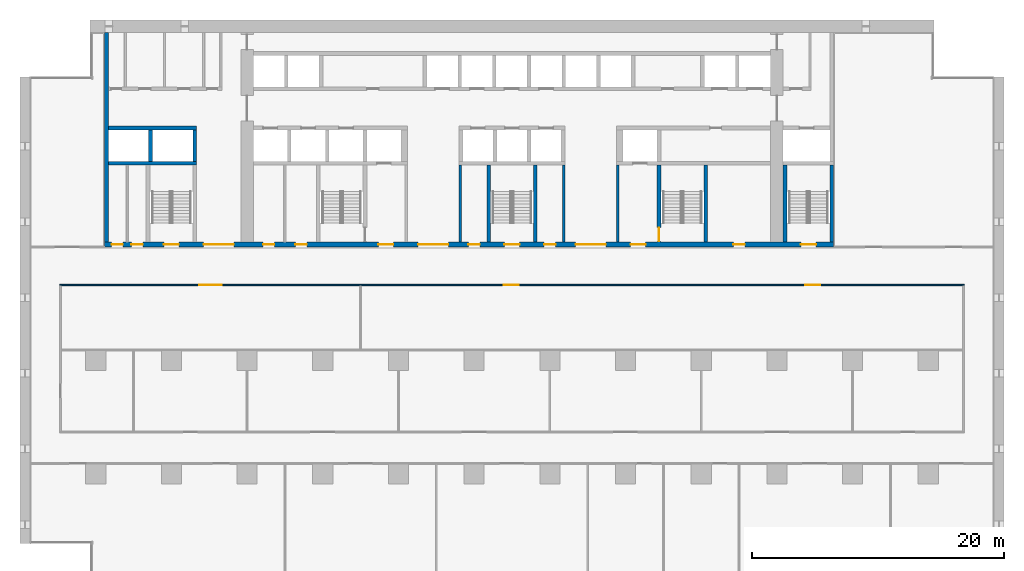
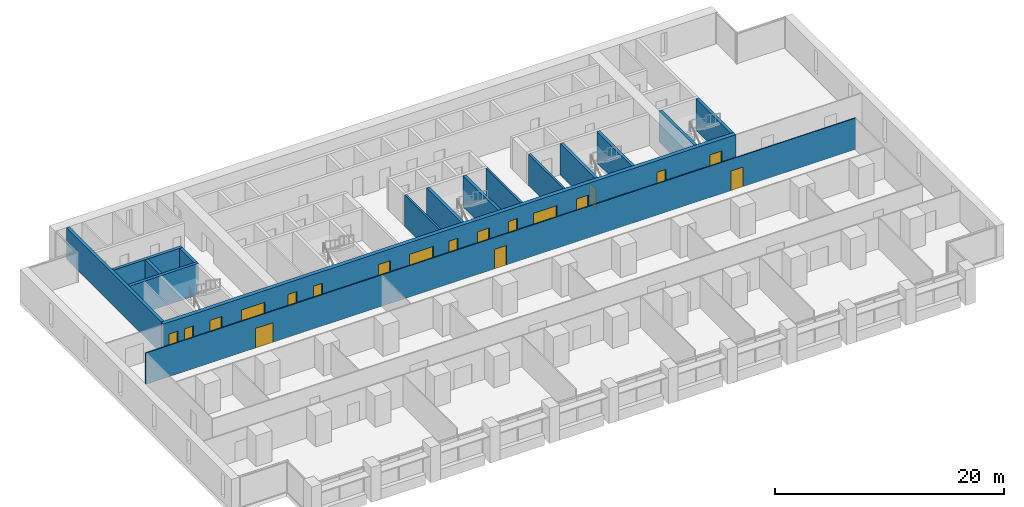
# One storey, part 10 of 18: 19 doors, 16 walls, 19 openings.
"""IFC4 building model written with IfcOpenShell, lengths in metres."""

from ifc_helpers import new_model, si_unit, direction, frame, frame_2d, origin, place, context, subcontext, project, spatial, rectangle, extrude, material, layer, layer_set, type_object, element, fill, save


model = new_model("IFC4")

# Units and contexts
model_context = context("Model", 3, precision=1e-05, world=origin(), true_north=direction((0.0, 1.0)))
body_context = subcontext(model_context, "Body", "Model", "MODEL_VIEW")
ifc_project = project(units=[si_unit("LENGTHUNIT", "METRE"), si_unit("AREAUNIT", "SQUARE_METRE"), si_unit("VOLUMEUNIT", "CUBIC_METRE"), si_unit("PLANEANGLEUNIT", "RADIAN"), si_unit("MASSUNIT", "GRAM", prefix="KILO")], contexts=[model_context])

# Site, building, storey
site_placement = place(None, origin())
site = spatial("IfcSite", under=ifc_project, at=site_placement, CompositionType="ELEMENT")
building_placement = place(site_placement, origin())
building = spatial("IfcBuilding", under=site, at=building_placement, Name="Calvaro Tower", CompositionType="ELEMENT")
storey_placement = place(building_placement, frame((0.0, 0.0, 63.75)))
storey = spatial("IfcBuildingStorey", under=building, at=storey_placement, Name="L15", CompositionType="ELEMENT", Elevation=63.75)

# Walls
ifc_material_1 = material(Name="Blockwork partition", Category="masonry")
ifc_layer_1 = layer(ifc_material_1, 0.199951171875)
ifc_layer_set_1 = layer_set([ifc_layer_1], Name="Blockwork partition")
wall_type_1 = type_object("IfcWallType", Name="Core partition 200 REI 120", PredefinedType="PARTITIONING", material=ifc_layer_set_1)
for number, where, z_axis, x_axis, name in (
    (1, (34.89990234375, 28.39990234375, 0.0), (0.0, 0.0, 1.0), (0.0, 1.0, 0.0), "Core partition"),
    (2, (43.10009765625, 28.39990234375, 0.0), (0.0, 0.0, 1.0), (0.0, 1.0, 0.0), "Core partition"),
    (3, (47.39990234375, 28.39990234375, 0.0), (0.0, 0.0, 1.0), (0.0, 1.0, 0.0), "Core partition"),
):
    element("IfcWall", number, at=place(storey_placement, frame(where, z_axis=z_axis, x_axis=x_axis)), inside=storey, type_object=wall_type_1, Name=name, PredefinedType="PARTITIONING", context=body_context, shape_type="SweptSolid", body=[
        extrude(rectangle(XDim=6.10009765625, YDim=0.199951171875, at=frame_2d((3.050048828125, 0.0))), origin(), (0.0, 0.0, 1.0), 3.35009765625),
    ])
ifc_material_2 = material(Name="Concrete C80/95", Category="concrete")
ifc_layer_2 = layer(ifc_material_2, 0.300048828125)
ifc_layer_set_2 = layer_set([ifc_layer_2], Name="Concrete C80/95")
wall_type_2 = type_object("IfcWallType", Name="Core wall C80/95 300", PredefinedType="SHEAR", material=ifc_layer_set_2)
wall_1_placement = place(storey_placement, frame((6.85009765625, 28.39990234375, 0.0), z_axis=(0.0, 0.0, 1.0), x_axis=(0.0, 1.0, 0.0)))
element("IfcWall", 4, at=wall_1_placement, inside=storey, type_object=wall_type_2, Name="Core wall, boundary", PredefinedType="SHEAR", context=body_context, shape_type="SweptSolid", body=[
    extrude(rectangle(XDim=16.60009765625, YDim=0.300048828125, at=frame_2d((8.300048828125, 0.0))), origin(), (0.0, 0.0, 1.0), 3.35009765625),
])
for number, where, z_axis, x_axis, name in (
    (5, (37.14990234375, 28.39990234375, 0.0), (0.0, 0.0, 1.0), (0.0, 1.0, 0.0), "Core wall, stair enclosure"),
    (6, (40.85009765625, 28.39990234375, 0.0), (0.0, 0.0, 1.0), (0.0, 1.0, 0.0), "Core wall, stair enclosure"),
):
    element("IfcWall", number, at=place(storey_placement, frame(where, z_axis=z_axis, x_axis=x_axis)), inside=storey, type_object=wall_type_2, Name=name, PredefinedType="SHEAR", context=body_context, shape_type="SweptSolid", body=[
        extrude(rectangle(XDim=6.10009765625, YDim=0.300048828125, at=frame_2d((3.050048828125, 0.0))), origin(), (0.0, 0.0, 1.0), 3.35009765625),
    ])

# Wall, opening, door
wall_2_placement = place(storey_placement, frame((50.64990234375, 34.5, 0.0), z_axis=(0.0, 0.0, 1.0), x_axis=(0.0, -1.0, 0.0)))
wall_2 = element("IfcWall", 7, at=wall_2_placement, inside=storey, type_object=wall_type_2, Name="Core wall, stair enclosure", PredefinedType="SHEAR", context=body_context, shape_type="SweptSolid", body=[
    extrude(rectangle(XDim=6.10009765625, YDim=0.300048828125, at=frame_2d((3.050048828125, 0.0))), origin(), (0.0, 0.0, 1.0), 3.35009765625),
])
opening_1_placement = place(wall_2_placement, frame((4.949951171875, 0.0, 0.0)))
opening_1 = element("IfcOpeningElement", 8, at=opening_1_placement, cuts=wall_2, Name="Opening FD11D", PredefinedType="OPENING", context=body_context, shape_type="SweptSolid", body=[
    extrude(rectangle(XDim=1.10009765625, YDim=2.10009765625, at=frame_2d((0.550048828125, 1.050048828125))), frame((0.0, 0.159912109375, 0.0), z_axis=(0.0, -1.0, 0.0), x_axis=(1.0, 0.0, 0.0)), (0.0, 0.0, 1.0), 0.320068359375),
])
ifc_material_3 = material(Name="Steel door set", Category="steel")
door_type_1 = type_object("IfcDoorType", Name="Fire door 1100 FD30S", OperationType="SINGLE_SWING_LEFT", PredefinedType="DOOR", material=ifc_material_3)
door_1_placement = place(opening_1_placement, origin())
door_1 = element("IfcDoor", 9, at=door_1_placement, inside=storey, type_object=door_type_1, Name="Fire door", OperationType="SINGLE_SWING_RIGHT", OverallHeight=2.10009765625, OverallWidth=1.10009765625, PredefinedType="DOOR", context=body_context, shape_type="SweptSolid", body=[
    extrude(rectangle(XDim=1.10009765625, YDim=2.10009765625, at=frame_2d((0.550048828125, 1.050048828125))), frame((0.0, 0.02490234375, 0.0), z_axis=(0.0, -1.0, 0.0), x_axis=(1.0, 0.0, 0.0)), (0.0, 0.0, 1.0), 0.050048828125),
])
fill(opening_1, door_1)

# Walls
for number, where, z_axis, x_axis, name in (
    (10, (54.35009765625, 28.39990234375, 0.0), (0.0, 0.0, 1.0), (0.0, 1.0, 0.0), "Core wall, stair enclosure"),
    (11, (60.64990234375, 28.39990234375, 0.0), (0.0, 0.0, 1.0), (0.0, 1.0, 0.0), "Core wall, stair enclosure"),
    (12, (64.35009765625, 28.39990234375, 0.0), (0.0, 0.0, 1.0), (0.0, 1.0, 0.0), "Core wall, stair enclosure"),
):
    element("IfcWall", number, at=place(storey_placement, frame(where, z_axis=z_axis, x_axis=x_axis)), inside=storey, type_object=wall_type_2, Name=name, PredefinedType="SHEAR", context=body_context, shape_type="SweptSolid", body=[
        extrude(rectangle(XDim=6.10009765625, YDim=0.300048828125, at=frame_2d((3.050048828125, 0.0))), origin(), (0.0, 0.0, 1.0), 3.35009765625),
    ])
for number, where, z_axis, x_axis, name in (
    (13, (7.0, 34.64990234375, 0.0), (0.0, 0.0, 1.0), (1.0, 0.0, 0.0), "Core wall, lift shaft"),
    (14, (7.0, 37.449951171875, 0.0), (0.0, 0.0, 1.0), (1.0, 0.0, 0.0), "Core wall, lift shaft"),
):
    element("IfcWall", number, at=place(storey_placement, frame(where, z_axis=z_axis, x_axis=x_axis)), inside=storey, type_object=wall_type_2, Name=name, PredefinedType="SHEAR", context=body_context, shape_type="SweptSolid", body=[
        extrude(rectangle(XDim=7.0, YDim=0.300048828125, at=frame_2d((3.5, 0.0))), origin(), (0.0, 0.0, 1.0), 3.35009765625),
    ])
for number, where, z_axis, x_axis, name in (
    (15, (13.85009765625, 34.800048828125, 0.0), (0.0, 0.0, 1.0), (0.0, 1.0, 0.0), "Core wall, lift shaft"),
    (16, (10.35009765625, 34.800048828125, 0.0), (0.0, 0.0, 1.0), (0.0, 1.0, 0.0), "Core wall, lift shaft"),
):
    element("IfcWall", number, at=place(storey_placement, frame(where, z_axis=z_axis, x_axis=x_axis)), inside=storey, type_object=wall_type_2, Name=name, PredefinedType="SHEAR", context=body_context, shape_type="SweptSolid", body=[
        extrude(rectangle(XDim=2.5, YDim=0.300048828125, at=frame_2d((1.25, 0.0))), origin(), (0.0, 0.0, 1.0), 3.35009765625),
    ])

# Wall, openings, doors
ifc_material_4 = material(Name="Concrete C80/95", Category="concrete")
ifc_layer_3 = layer(ifc_material_4, 0.39990234375)
ifc_layer_set_3 = layer_set([ifc_layer_3], Name="Concrete C80/95")
wall_type_3 = type_object("IfcWallType", Name="Core wall C80/95 400", PredefinedType="SHEAR", material=ifc_layer_set_3)
wall_3_placement = place(storey_placement, frame((6.699951171875, 28.199951171875, 0.0), z_axis=(0.0, 0.0, 1.0), x_axis=(1.0, 0.0, 0.0)))
wall_3 = element("IfcWall", 17, at=wall_3_placement, inside=storey, type_object=wall_type_3, Name="Core wall, front", PredefinedType="SHEAR", context=body_context, shape_type="SweptSolid", body=[
    extrude(rectangle(XDim=57.800048828125, YDim=0.39990234375, at=frame_2d((28.89990234375, 0.0))), origin(), (0.0, 0.0, 1.0), 3.35009765625),
])
opening_2_placement = place(wall_3_placement, frame((12.5625, 0.0, 0.0)))
opening_2 = element("IfcOpeningElement", 18, at=opening_2_placement, cuts=wall_3, Name="Opening RD9E", PredefinedType="OPENING", context=body_context, shape_type="SweptSolid", body=[
    extrude(rectangle(XDim=0.89990234375, YDim=2.10009765625, at=frame_2d((0.449951171875, 1.050048828125))), frame((0.0, 0.2099609375, 0.0), z_axis=(0.0, -1.0, 0.0), x_axis=(1.0, 0.0, 0.0)), (0.0, 0.0, 1.0), 0.419921875),
])
opening_3_placement = place(wall_3_placement, frame((15.137451171875, 0.0, 0.0)))
opening_3 = element("IfcOpeningElement", 19, at=opening_3_placement, cuts=wall_3, Name="Opening RD9C", PredefinedType="OPENING", context=body_context, shape_type="SweptSolid", body=[
    extrude(rectangle(XDim=0.89990234375, YDim=2.10009765625, at=frame_2d((0.449951171875, 1.050048828125))), frame((0.0, 0.2099609375, 0.0), z_axis=(0.0, -1.0, 0.0), x_axis=(1.0, 0.0, 0.0)), (0.0, 0.0, 1.0), 0.419921875),
])
opening_4_placement = place(wall_3_placement, frame((49.85009765625, 0.0, 0.0)))
opening_4 = element("IfcOpeningElement", 20, at=opening_4_placement, cuts=wall_3, Name="Opening RD9E", PredefinedType="OPENING", context=body_context, shape_type="SweptSolid", body=[
    extrude(rectangle(XDim=0.89990234375, YDim=2.10009765625, at=frame_2d((0.449951171875, 1.050048828125))), frame((0.0, 0.2099609375, 0.0), z_axis=(0.0, -1.0, 0.0), x_axis=(1.0, 0.0, 0.0)), (0.0, 0.0, 1.0), 0.419921875),
])
opening_5_placement = place(wall_3_placement, frame((0.5625, 0.0, 0.0)))
opening_5 = element("IfcOpeningElement", 21, at=opening_5_placement, cuts=wall_3, Name="Opening RD9C", PredefinedType="OPENING", context=body_context, shape_type="SweptSolid", body=[
    extrude(rectangle(XDim=0.89990234375, YDim=2.10009765625, at=frame_2d((0.449951171875, 1.050048828125))), frame((0.0, 0.2099609375, 0.0), z_axis=(0.0, -1.0, 0.0), x_axis=(1.0, 0.0, 0.0)), (0.0, 0.0, 1.0), 0.419921875),
])
opening_6_placement = place(wall_3_placement, frame((2.137451171875, 0.0, 0.0)))
opening_6 = element("IfcOpeningElement", 22, at=opening_6_placement, cuts=wall_3, Name="Opening RD9E", PredefinedType="OPENING", context=body_context, shape_type="SweptSolid", body=[
    extrude(rectangle(XDim=0.89990234375, YDim=2.10009765625, at=frame_2d((0.449951171875, 1.050048828125))), frame((0.0, 0.2099609375, 0.0), z_axis=(0.0, -1.0, 0.0), x_axis=(1.0, 0.0, 0.0)), (0.0, 0.0, 1.0), 0.419921875),
])
opening_7_placement = place(wall_3_placement, frame((4.699951171875, 0.0, 0.0)))
opening_7 = element("IfcOpeningElement", 23, at=opening_7_placement, cuts=wall_3, Name="Opening SD12D", PredefinedType="OPENING", context=body_context, shape_type="SweptSolid", body=[
    extrude(rectangle(XDim=1.199951171875, YDim=2.10009765625, at=frame_2d((0.60009765625, 1.050048828125))), frame((0.0, 0.2099609375, 0.0), z_axis=(0.0, -1.0, 0.0), x_axis=(1.0, 0.0, 0.0)), (0.0, 0.0, 1.0), 0.419921875),
])
opening_8_placement = place(wall_3_placement, frame((31.699951171875, 0.0, 0.0)))
opening_8 = element("IfcOpeningElement", 24, at=opening_8_placement, cuts=wall_3, Name="Opening SD12D", PredefinedType="OPENING", context=body_context, shape_type="SweptSolid", body=[
    extrude(rectangle(XDim=1.199951171875, YDim=2.10009765625, at=frame_2d((0.60009765625, 1.050048828125))), frame((0.0, 0.2099609375, 0.0), z_axis=(0.0, -1.0, 0.0), x_axis=(1.0, 0.0, 0.0)), (0.0, 0.0, 1.0), 0.419921875),
])
opening_9_placement = place(wall_3_placement, frame((55.199951171875, 0.0, 0.0)))
opening_9 = element("IfcOpeningElement", 25, at=opening_9_placement, cuts=wall_3, Name="Opening SD12D", PredefinedType="OPENING", context=body_context, shape_type="SweptSolid", body=[
    extrude(rectangle(XDim=1.199951171875, YDim=2.10009765625, at=frame_2d((0.60009765625, 1.050048828125))), frame((0.0, 0.2099609375, 0.0), z_axis=(0.0, -1.0, 0.0), x_axis=(1.0, 0.0, 0.0)), (0.0, 0.0, 1.0), 0.419921875),
])
opening_10_placement = place(wall_3_placement, frame((21.699951171875, 0.0, 0.0)))
opening_10 = element("IfcOpeningElement", 26, at=opening_10_placement, cuts=wall_3, Name="Opening FD12F", PredefinedType="OPENING", context=body_context, shape_type="SweptSolid", body=[
    extrude(rectangle(XDim=1.199951171875, YDim=2.10009765625, at=frame_2d((0.60009765625, 1.050048828125))), frame((0.0, 0.2099609375, 0.0), z_axis=(0.0, -1.0, 0.0), x_axis=(1.0, 0.0, 0.0)), (0.0, 0.0, 1.0), 0.419921875),
])
opening_11_placement = place(wall_3_placement, frame((41.699951171875, 0.0, 0.0)))
opening_11 = element("IfcOpeningElement", 27, at=opening_11_placement, cuts=wall_3, Name="Opening FD12F", PredefinedType="OPENING", context=body_context, shape_type="SweptSolid", body=[
    extrude(rectangle(XDim=1.199951171875, YDim=2.10009765625, at=frame_2d((0.60009765625, 1.050048828125))), frame((0.0, 0.2099609375, 0.0), z_axis=(0.0, -1.0, 0.0), x_axis=(1.0, 0.0, 0.0)), (0.0, 0.0, 1.0), 0.419921875),
])
opening_12_placement = place(wall_3_placement, frame((24.85009765625, 0.0, 0.0)))
opening_12 = element("IfcOpeningElement", 28, at=opening_12_placement, cuts=wall_3, Name="Opening DD24D", PredefinedType="OPENING", context=body_context, shape_type="SweptSolid", body=[
    extrude(rectangle(XDim=2.39990234375, YDim=2.10009765625, at=frame_2d((1.199951171875, 1.050048828125))), frame((0.0, 0.2099609375, 0.0), z_axis=(0.0, -1.0, 0.0), x_axis=(1.0, 0.0, 0.0)), (0.0, 0.0, 1.0), 0.419921875),
])
opening_13_placement = place(wall_3_placement, frame((37.35009765625, 0.0, 0.0)))
opening_13 = element("IfcOpeningElement", 29, at=opening_13_placement, cuts=wall_3, Name="Opening DD24D", PredefinedType="OPENING", context=body_context, shape_type="SweptSolid", body=[
    extrude(rectangle(XDim=2.39990234375, YDim=2.10009765625, at=frame_2d((1.199951171875, 1.050048828125))), frame((0.0, 0.2099609375, 0.0), z_axis=(0.0, -1.0, 0.0), x_axis=(1.0, 0.0, 0.0)), (0.0, 0.0, 1.0), 0.419921875),
])
opening_14_placement = place(wall_3_placement, frame((7.85009765625, 0.0, 0.0)))
opening_14 = element("IfcOpeningElement", 30, at=opening_14_placement, cuts=wall_3, Name="Opening DD24D", PredefinedType="OPENING", context=body_context, shape_type="SweptSolid", body=[
    extrude(rectangle(XDim=2.39990234375, YDim=2.10009765625, at=frame_2d((1.199951171875, 1.050048828125))), frame((0.0, 0.2099609375, 0.0), z_axis=(0.0, -1.0, 0.0), x_axis=(1.0, 0.0, 0.0)), (0.0, 0.0, 1.0), 0.419921875),
])
opening_15_placement = place(wall_3_placement, frame((28.85009765625, 0.0, 0.0)))
opening_15 = element("IfcOpeningElement", 31, at=opening_15_placement, cuts=wall_3, Name="Opening RD9E", PredefinedType="OPENING", context=body_context, shape_type="SweptSolid", body=[
    extrude(rectangle(XDim=0.89990234375, YDim=2.10009765625, at=frame_2d((0.449951171875, 1.050048828125))), frame((0.0, 0.2099609375, 0.0), z_axis=(0.0, -1.0, 0.0), x_axis=(1.0, 0.0, 0.0)), (0.0, 0.0, 1.0), 0.419921875),
])
opening_16_placement = place(wall_3_placement, frame((34.85009765625, 0.0, 0.0)))
opening_16 = element("IfcOpeningElement", 32, at=opening_16_placement, cuts=wall_3, Name="Opening RD9E", PredefinedType="OPENING", context=body_context, shape_type="SweptSolid", body=[
    extrude(rectangle(XDim=0.89990234375, YDim=2.10009765625, at=frame_2d((0.449951171875, 1.050048828125))), frame((0.0, 0.2099609375, 0.0), z_axis=(0.0, -1.0, 0.0), x_axis=(1.0, 0.0, 0.0)), (0.0, 0.0, 1.0), 0.419921875),
])
ifc_material_5 = material(Name="Steel door set", Category="steel")
door_type_2 = type_object("IfcDoorType", Name="Fire door 1200 FD60S", OperationType="SINGLE_SWING_LEFT", PredefinedType="DOOR", material=ifc_material_5)
door_2_placement = place(opening_10_placement, origin())
door_2 = element("IfcDoor", 33, at=door_2_placement, inside=storey, type_object=door_type_2, Name="Fire door", OperationType="SINGLE_SWING_LEFT", OverallHeight=2.10009765625, OverallWidth=1.199951171875, PredefinedType="DOOR", context=body_context, shape_type="SweptSolid", body=[
    extrude(rectangle(XDim=1.199951171875, YDim=2.10009765625, at=frame_2d((0.60009765625, 1.050048828125))), frame((0.0, 0.02490234375, 0.0), z_axis=(0.0, -1.0, 0.0), x_axis=(1.0, 0.0, 0.0)), (0.0, 0.0, 1.0), 0.050048828125),
])
fill(opening_10, door_2)
door_3_placement = place(opening_11_placement, origin())
door_3 = element("IfcDoor", 34, at=door_3_placement, inside=storey, type_object=door_type_2, Name="Fire door", OperationType="SINGLE_SWING_LEFT", OverallHeight=2.10009765625, OverallWidth=1.199951171875, PredefinedType="DOOR", context=body_context, shape_type="SweptSolid", body=[
    extrude(rectangle(XDim=1.199951171875, YDim=2.10009765625, at=frame_2d((0.60009765625, 1.050048828125))), frame((0.0, 0.02490234375, 0.0), z_axis=(0.0, -1.0, 0.0), x_axis=(1.0, 0.0, 0.0)), (0.0, 0.0, 1.0), 0.050048828125),
])
fill(opening_11, door_3)
ifc_material_6 = material(Name="Steel door set", Category="steel")
door_type_3 = type_object("IfcDoorType", Name="Lobby double door 2400 FD30S", OperationType="DOUBLE_DOOR_SINGLE_SWING", PredefinedType="DOOR", material=ifc_material_6)
door_4_placement = place(opening_12_placement, origin())
door_4 = element("IfcDoor", 35, at=door_4_placement, inside=storey, type_object=door_type_3, Name="Lobby double door", OperationType="DOUBLE_DOOR_SINGLE_SWING", OverallHeight=2.10009765625, OverallWidth=2.39990234375, PredefinedType="DOOR", context=body_context, shape_type="SweptSolid", body=[
    extrude(rectangle(XDim=2.39990234375, YDim=2.10009765625, at=frame_2d((1.199951171875, 1.050048828125))), frame((0.0, 0.02490234375, 0.0), z_axis=(0.0, -1.0, 0.0), x_axis=(1.0, 0.0, 0.0)), (0.0, 0.0, 1.0), 0.050048828125),
])
fill(opening_12, door_4)
door_5_placement = place(opening_13_placement, origin())
door_5 = element("IfcDoor", 36, at=door_5_placement, inside=storey, type_object=door_type_3, Name="Lobby double door", OperationType="DOUBLE_DOOR_SINGLE_SWING", OverallHeight=2.10009765625, OverallWidth=2.39990234375, PredefinedType="DOOR", context=body_context, shape_type="SweptSolid", body=[
    extrude(rectangle(XDim=2.39990234375, YDim=2.10009765625, at=frame_2d((1.199951171875, 1.050048828125))), frame((0.0, 0.02490234375, 0.0), z_axis=(0.0, -1.0, 0.0), x_axis=(1.0, 0.0, 0.0)), (0.0, 0.0, 1.0), 0.050048828125),
])
fill(opening_13, door_5)
door_6_placement = place(opening_14_placement, origin())
door_6 = element("IfcDoor", 37, at=door_6_placement, inside=storey, type_object=door_type_3, Name="Lobby double door", OperationType="DOUBLE_DOOR_SINGLE_SWING", OverallHeight=2.10009765625, OverallWidth=2.39990234375, PredefinedType="DOOR", context=body_context, shape_type="SweptSolid", body=[
    extrude(rectangle(XDim=2.39990234375, YDim=2.10009765625, at=frame_2d((1.199951171875, 1.050048828125))), frame((0.0, 0.02490234375, 0.0), z_axis=(0.0, -1.0, 0.0), x_axis=(1.0, 0.0, 0.0)), (0.0, 0.0, 1.0), 0.050048828125),
])
fill(opening_14, door_6)
ifc_material_7 = material(Name="Steel door set", Category="steel")
door_type_4 = type_object("IfcDoorType", Name="Room door 900 FD30", OperationType="SINGLE_SWING_LEFT", PredefinedType="DOOR", material=ifc_material_7)
door_7_placement = place(opening_3_placement, origin())
door_7 = element("IfcDoor", 38, at=door_7_placement, inside=storey, type_object=door_type_4, Name="Room door", OperationType="SINGLE_SWING_RIGHT", OverallHeight=2.10009765625, OverallWidth=0.89990234375, PredefinedType="DOOR", context=body_context, shape_type="SweptSolid", body=[
    extrude(rectangle(XDim=0.89990234375, YDim=2.10009765625, at=frame_2d((0.449951171875, 1.050048828125))), frame((0.0, 0.02490234375, 0.0), z_axis=(0.0, -1.0, 0.0), x_axis=(1.0, 0.0, 0.0)), (0.0, 0.0, 1.0), 0.050048828125),
])
fill(opening_3, door_7)
door_8_placement = place(opening_5_placement, origin())
door_8 = element("IfcDoor", 39, at=door_8_placement, inside=storey, type_object=door_type_4, Name="Room door", OperationType="SINGLE_SWING_LEFT", OverallHeight=2.10009765625, OverallWidth=0.89990234375, PredefinedType="DOOR", context=body_context, shape_type="SweptSolid", body=[
    extrude(rectangle(XDim=0.89990234375, YDim=2.10009765625, at=frame_2d((0.449951171875, 1.050048828125))), frame((0.0, 0.02490234375, 0.0), z_axis=(0.0, -1.0, 0.0), x_axis=(1.0, 0.0, 0.0)), (0.0, 0.0, 1.0), 0.050048828125),
])
fill(opening_5, door_8)
ifc_material_8 = material(Name="Steel door set", Category="steel")
door_type_5 = type_object("IfcDoorType", Name="Room door 900 FD60", OperationType="SINGLE_SWING_LEFT", PredefinedType="DOOR", material=ifc_material_8)
door_9_placement = place(opening_2_placement, origin())
door_9 = element("IfcDoor", 40, at=door_9_placement, inside=storey, type_object=door_type_5, Name="Room door", OperationType="SINGLE_SWING_LEFT", OverallHeight=2.10009765625, OverallWidth=0.89990234375, PredefinedType="DOOR", context=body_context, shape_type="SweptSolid", body=[
    extrude(rectangle(XDim=0.89990234375, YDim=2.10009765625, at=frame_2d((0.449951171875, 1.050048828125))), frame((0.0, 0.02490234375, 0.0), z_axis=(0.0, -1.0, 0.0), x_axis=(1.0, 0.0, 0.0)), (0.0, 0.0, 1.0), 0.050048828125),
])
fill(opening_2, door_9)
door_10_placement = place(opening_4_placement, origin())
door_10 = element("IfcDoor", 41, at=door_10_placement, inside=storey, type_object=door_type_5, Name="Room door", OperationType="SINGLE_SWING_LEFT", OverallHeight=2.10009765625, OverallWidth=0.89990234375, PredefinedType="DOOR", context=body_context, shape_type="SweptSolid", body=[
    extrude(rectangle(XDim=0.89990234375, YDim=2.10009765625, at=frame_2d((0.449951171875, 1.050048828125))), frame((0.0, 0.02490234375, 0.0), z_axis=(0.0, -1.0, 0.0), x_axis=(1.0, 0.0, 0.0)), (0.0, 0.0, 1.0), 0.050048828125),
])
fill(opening_4, door_10)
door_11_placement = place(opening_6_placement, origin())
door_11 = element("IfcDoor", 42, at=door_11_placement, inside=storey, type_object=door_type_5, Name="Room door", OperationType="SINGLE_SWING_LEFT", OverallHeight=2.10009765625, OverallWidth=0.89990234375, PredefinedType="DOOR", context=body_context, shape_type="SweptSolid", body=[
    extrude(rectangle(XDim=0.89990234375, YDim=2.10009765625, at=frame_2d((0.449951171875, 1.050048828125))), frame((0.0, 0.02490234375, 0.0), z_axis=(0.0, -1.0, 0.0), x_axis=(1.0, 0.0, 0.0)), (0.0, 0.0, 1.0), 0.050048828125),
])
fill(opening_6, door_11)
door_12_placement = place(opening_15_placement, origin())
door_12 = element("IfcDoor", 43, at=door_12_placement, inside=storey, type_object=door_type_5, Name="Room door", OperationType="SINGLE_SWING_LEFT", OverallHeight=2.10009765625, OverallWidth=0.89990234375, PredefinedType="DOOR", context=body_context, shape_type="SweptSolid", body=[
    extrude(rectangle(XDim=0.89990234375, YDim=2.10009765625, at=frame_2d((0.449951171875, 1.050048828125))), frame((0.0, 0.02490234375, 0.0), z_axis=(0.0, -1.0, 0.0), x_axis=(1.0, 0.0, 0.0)), (0.0, 0.0, 1.0), 0.050048828125),
])
fill(opening_15, door_12)
door_13_placement = place(opening_16_placement, origin())
door_13 = element("IfcDoor", 44, at=door_13_placement, inside=storey, type_object=door_type_5, Name="Room door", OperationType="SINGLE_SWING_LEFT", OverallHeight=2.10009765625, OverallWidth=0.89990234375, PredefinedType="DOOR", context=body_context, shape_type="SweptSolid", body=[
    extrude(rectangle(XDim=0.89990234375, YDim=2.10009765625, at=frame_2d((0.449951171875, 1.050048828125))), frame((0.0, 0.02490234375, 0.0), z_axis=(0.0, -1.0, 0.0), x_axis=(1.0, 0.0, 0.0)), (0.0, 0.0, 1.0), 0.050048828125),
])
fill(opening_16, door_13)
ifc_material_9 = material(Name="Steel door set", Category="steel")
door_type_6 = type_object("IfcDoorType", Name="Stair door 1200 FD30S", OperationType="SINGLE_SWING_LEFT", PredefinedType="DOOR", material=ifc_material_9)
door_14_placement = place(opening_7_placement, origin())
door_14 = element("IfcDoor", 45, at=door_14_placement, inside=storey, type_object=door_type_6, Name="Stair door", OperationType="SINGLE_SWING_LEFT", OverallHeight=2.10009765625, OverallWidth=1.199951171875, PredefinedType="DOOR", context=body_context, shape_type="SweptSolid", body=[
    extrude(rectangle(XDim=1.199951171875, YDim=2.10009765625, at=frame_2d((0.60009765625, 1.050048828125))), frame((0.0, 0.02490234375, 0.0), z_axis=(0.0, -1.0, 0.0), x_axis=(1.0, 0.0, 0.0)), (0.0, 0.0, 1.0), 0.050048828125),
])
fill(opening_7, door_14)
door_15_placement = place(opening_8_placement, origin())
door_15 = element("IfcDoor", 46, at=door_15_placement, inside=storey, type_object=door_type_6, Name="Stair door", OperationType="SINGLE_SWING_LEFT", OverallHeight=2.10009765625, OverallWidth=1.199951171875, PredefinedType="DOOR", context=body_context, shape_type="SweptSolid", body=[
    extrude(rectangle(XDim=1.199951171875, YDim=2.10009765625, at=frame_2d((0.60009765625, 1.050048828125))), frame((0.0, 0.02490234375, 0.0), z_axis=(0.0, -1.0, 0.0), x_axis=(1.0, 0.0, 0.0)), (0.0, 0.0, 1.0), 0.050048828125),
])
fill(opening_8, door_15)
door_16_placement = place(opening_9_placement, origin())
door_16 = element("IfcDoor", 47, at=door_16_placement, inside=storey, type_object=door_type_6, Name="Stair door", OperationType="SINGLE_SWING_LEFT", OverallHeight=2.10009765625, OverallWidth=1.199951171875, PredefinedType="DOOR", context=body_context, shape_type="SweptSolid", body=[
    extrude(rectangle(XDim=1.199951171875, YDim=2.10009765625, at=frame_2d((0.60009765625, 1.050048828125))), frame((0.0, 0.02490234375, 0.0), z_axis=(0.0, -1.0, 0.0), x_axis=(1.0, 0.0, 0.0)), (0.0, 0.0, 1.0), 0.050048828125),
])
fill(opening_9, door_16)

ifc_material_10 = material(Name="Plasterboard on steel studs", Category="steel")
ifc_layer_4 = layer(ifc_material_10, 0.10009765625)
ifc_layer_set_4 = layer_set([ifc_layer_4], Name="Plasterboard on steel studs")
wall_type_4 = type_object("IfcWallType", Name="Partition 100", PredefinedType="PARTITIONING", material=ifc_layer_set_4)
wall_4_placement = place(storey_placement, frame((3.14990234375, 25.0, 0.0), z_axis=(0.0, 0.0, 1.0), x_axis=(1.0, 0.0, 0.0)))
wall_4 = element("IfcWall", 48, at=wall_4_placement, inside=storey, type_object=wall_type_4, Name="Partition T12.W004", PredefinedType="PARTITIONING", context=body_context, shape_type="SweptSolid", body=[
    extrude(rectangle(XDim=71.7001953125, YDim=0.10009765625, at=frame_2d((35.85009765625, 0.0))), origin(), (0.0, 0.0, 1.0), 3.35009765625),
])
opening_17_placement = place(wall_4_placement, frame((11.050048828125, 0.0, 0.0)))
opening_17 = element("IfcOpeningElement", 49, at=opening_17_placement, cuts=wall_4, Name="Opening T12.016", PredefinedType="OPENING", context=body_context, shape_type="SweptSolid", body=[
    extrude(rectangle(XDim=1.800048828125, YDim=2.10009765625, at=frame_2d((0.89990234375, 1.050048828125))), frame((0.0, 0.06005859375, 0.0), z_axis=(0.0, -1.0, 0.0), x_axis=(1.0, 0.0, 0.0)), (0.0, 0.0, 1.0), 0.1201171875),
])
opening_18_placement = place(wall_4_placement, frame((35.199951171875, 0.0, 0.0)))
opening_18 = element("IfcOpeningElement", 50, at=opening_18_placement, cuts=wall_4, Name="Opening T12.017", PredefinedType="OPENING", context=body_context, shape_type="SweptSolid", body=[
    extrude(rectangle(XDim=1.199951171875, YDim=2.10009765625, at=frame_2d((0.60009765625, 1.050048828125))), frame((0.0, 0.06005859375, 0.0), z_axis=(0.0, -1.0, 0.0), x_axis=(1.0, 0.0, 0.0)), (0.0, 0.0, 1.0), 0.1201171875),
])
opening_19_placement = place(wall_4_placement, frame((59.10009765625, 0.0, 0.0)))
opening_19 = element("IfcOpeningElement", 51, at=opening_19_placement, cuts=wall_4, Name="Opening T12.018", PredefinedType="OPENING", context=body_context, shape_type="SweptSolid", body=[
    extrude(rectangle(XDim=1.199951171875, YDim=2.10009765625, at=frame_2d((0.60009765625, 1.050048828125))), frame((0.0, 0.06005859375, 0.0), z_axis=(0.0, -1.0, 0.0), x_axis=(1.0, 0.0, 0.0)), (0.0, 0.0, 1.0), 0.1201171875),
])
ifc_material_11 = material(Name="Timber", Category="wood")
door_type_7 = type_object("IfcDoorType", Name="Internal double door 1800 x 2100", OperationType="DOUBLE_DOOR_SINGLE_SWING", PredefinedType="DOOR", material=ifc_material_11)
door_17_placement = place(opening_17_placement, origin())
door_17 = element("IfcDoor", 52, at=door_17_placement, inside=storey, type_object=door_type_7, Name="Door T12.016", OperationType="DOUBLE_DOOR_SINGLE_SWING", OverallHeight=2.10009765625, OverallWidth=1.800048828125, PredefinedType="DOOR", context=body_context, shape_type="SweptSolid", body=[
    extrude(rectangle(XDim=1.800048828125, YDim=2.10009765625, at=frame_2d((0.89990234375, 1.050048828125))), frame((0.0, 0.02490234375, 0.0), z_axis=(0.0, -1.0, 0.0), x_axis=(1.0, 0.0, 0.0)), (0.0, 0.0, 1.0), 0.050048828125),
])
fill(opening_17, door_17)
ifc_material_12 = material(Name="Timber", Category="wood")
door_type_8 = type_object("IfcDoorType", Name="Internal single door 1200 x 2100", OperationType="SINGLE_SWING_LEFT", PredefinedType="DOOR", material=ifc_material_12)
door_18_placement = place(opening_18_placement, origin())
door_18 = element("IfcDoor", 53, at=door_18_placement, inside=storey, type_object=door_type_8, Name="Door T12.017", OperationType="SINGLE_SWING_LEFT", OverallHeight=2.10009765625, OverallWidth=1.199951171875, PredefinedType="DOOR", context=body_context, shape_type="SweptSolid", body=[
    extrude(rectangle(XDim=1.199951171875, YDim=2.10009765625, at=frame_2d((0.60009765625, 1.050048828125))), frame((0.0, 0.02490234375, 0.0), z_axis=(0.0, -1.0, 0.0), x_axis=(1.0, 0.0, 0.0)), (0.0, 0.0, 1.0), 0.050048828125),
])
fill(opening_18, door_18)
door_19_placement = place(opening_19_placement, origin())
door_19 = element("IfcDoor", 54, at=door_19_placement, inside=storey, type_object=door_type_8, Name="Door T12.018", OperationType="SINGLE_SWING_RIGHT", OverallHeight=2.10009765625, OverallWidth=1.199951171875, PredefinedType="DOOR", context=body_context, shape_type="SweptSolid", body=[
    extrude(rectangle(XDim=1.199951171875, YDim=2.10009765625, at=frame_2d((0.60009765625, 1.050048828125))), frame((0.0, 0.02490234375, 0.0), z_axis=(0.0, -1.0, 0.0), x_axis=(1.0, 0.0, 0.0)), (0.0, 0.0, 1.0), 0.050048828125),
])
fill(opening_19, door_19)

save(model, "model.ifc")
